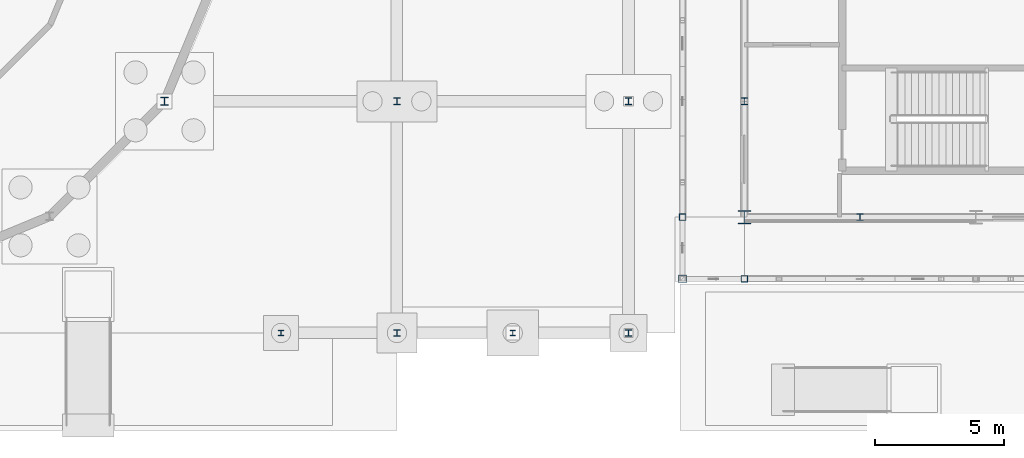
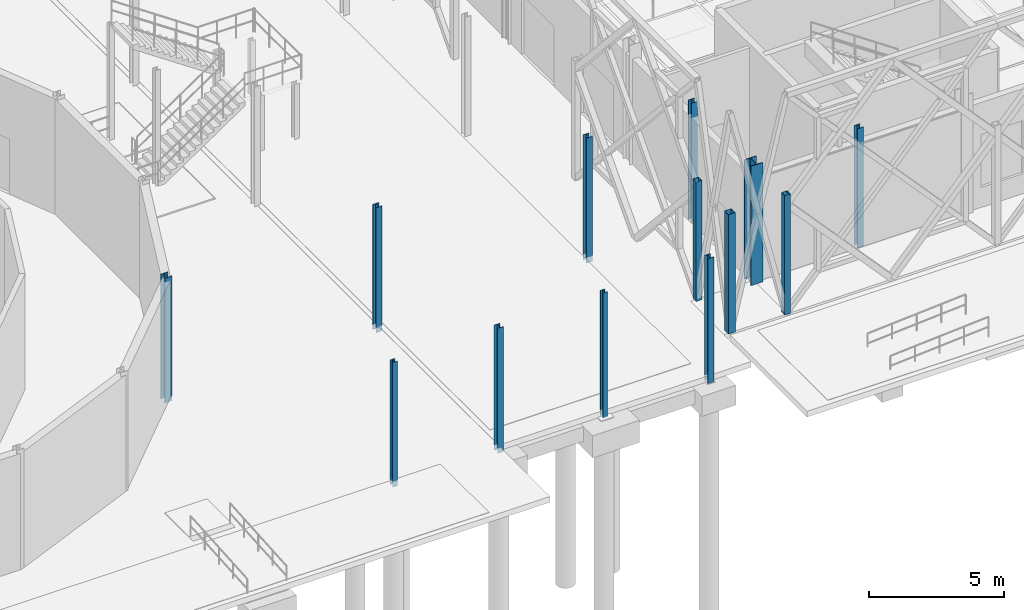
# One storey, part 5 of 180: 13 columns.
"""IFC4 building model written with IfcOpenShell, lengths in metres."""

from ifc_helpers import new_model, si_unit, direction, frame, origin, origin_2d, place, context, subcontext, project, spatial, hollow_rectangle, i_section, extrude, material, material_profile, profile_set, type_object, element, save


model = new_model("IFC4")

# Units and contexts
model_context = context("Model", 3, precision=1e-05, world=origin(), true_north=direction((0.0, 1.0)))
body_context = subcontext(model_context, "Body", "Model", "MODEL_VIEW")
ifc_project = project(units=[si_unit("LENGTHUNIT", "METRE"), si_unit("AREAUNIT", "SQUARE_METRE"), si_unit("VOLUMEUNIT", "CUBIC_METRE"), si_unit("PLANEANGLEUNIT", "RADIAN"), si_unit("MASSUNIT", "GRAM", prefix="KILO"), si_unit("THERMODYNAMICTEMPERATUREUNIT", "KELVIN"), si_unit("POWERUNIT", "WATT")], contexts=[model_context])

# Site, building, storey
site_placement = place(None, origin())
site = spatial("IfcSite", under=ifc_project, at=site_placement, CompositionType="ELEMENT")
building_placement = place(site_placement, origin())
building = spatial("IfcBuilding", under=site, at=building_placement, Name="Tallowbark Science Centre", CompositionType="ELEMENT")
storey_placement = place(building_placement, origin())
storey = spatial("IfcBuildingStorey", under=building, at=storey_placement, Name="L00", CompositionType="ELEMENT", Elevation=0.0)

# Columns
ifc_material_1 = material(Name="White Architectural Painted Steel Grade C350L0 (350 MPa)", Category="steel")
ifc_material_profile_1 = material_profile(ifc_material_1, hollow_rectangle(XDim=0.25, YDim=0.25, WallThickness=0.009033203125, at=origin_2d()), Name="250x250x9.0SHS")
ifc_profile_set_1 = profile_set([ifc_material_profile_1], Name="White Architectural Painted Steel Grade C350L0 (350 MPa)")
column_type_1 = type_object("IfcColumnType", Name="COL-SCR200", PredefinedType="COLUMN", material=ifc_profile_set_1)
for number, where, z_axis, x_axis, name in (
    (1, (58.5, 2.10009765625, 0.0), (0.0, 0.0, 1.0), (1.0, 0.0, 0.0), "Column SCR-S01 L00"),
    (2, (56.10009765625, 4.5, 0.0), (0.0, 0.0, 1.0), (1.0, 0.0, 0.0), "Column SCR-W01 L00"),
):
    element("IfcColumn", number, at=place(storey_placement, frame(where, z_axis=z_axis, x_axis=x_axis)), inside=storey, type_object=column_type_1, Name=name, PredefinedType="COLUMN", context=body_context, shape_type="SweptSolid", body=[
        extrude(hollow_rectangle(XDim=0.25, YDim=0.25, WallThickness=0.009033203125, at=origin_2d()), origin(), (0.0, 0.0, 1.0), 5.39990234375),
    ])
ifc_material_profile_2 = material_profile(ifc_material_1, hollow_rectangle(XDim=0.300048828125, YDim=0.300048828125, WallThickness=0.010009765625, at=origin_2d()), Name="300x300x10.0SHS")
ifc_profile_set_2 = profile_set([ifc_material_profile_2], Name="White Architectural Painted Steel Grade C350L0 (350 MPa)")
column_type_2 = type_object("IfcColumnType", Name="COL-SCR300", PredefinedType="COLUMN", material=ifc_profile_set_2)
column_1_placement = place(storey_placement, frame((56.10009765625, 2.10009765625, 0.0), z_axis=(0.0, 0.0, 1.0), x_axis=(1.0, 0.0, 0.0)))
element("IfcColumn", 3, at=column_1_placement, inside=storey, type_object=column_type_2, Name="Column SCR-S00 L00", PredefinedType="COLUMN", context=body_context, shape_type="SweptSolid", body=[
    extrude(hollow_rectangle(XDim=0.300048828125, YDim=0.300048828125, WallThickness=0.010009765625, at=origin_2d()), origin(), (0.0, 0.0, 1.0), 5.39990234375),
])
ifc_material_2 = material(Name="Structural Steel Grade 300PLUS (300 MPa)", Category="steel")
ifc_material_profile_3 = material_profile(ifc_material_2, i_section(OverallWidth=0.205078125, OverallDepth=0.209716796875, WebThickness=0.00927734375, FlangeThickness=0.01416015625, FilletRadius=0.011474609375, at=origin_2d()), Name="200UC59.5")
ifc_profile_set_3 = profile_set([ifc_material_profile_3], Name="Structural Steel Grade 300PLUS (300 MPa)")
column_type_3 = type_object("IfcColumnType", Name="COL-UC200", PredefinedType="COLUMN", material=ifc_profile_set_3)
column_2_placement = place(storey_placement, frame((40.5, 0.0, -0.239990234375), z_axis=(0.0, 0.0, 1.0), x_axis=(1.0, 0.0, 0.0)))
element("IfcColumn", 4, at=column_2_placement, inside=storey, type_object=column_type_3, Name="Column CAN-S1 L00", PredefinedType="COLUMN", context=body_context, shape_type="SweptSolid", body=[
    extrude(i_section(OverallWidth=0.205078125, OverallDepth=0.209716796875, WebThickness=0.00927734375, FlangeThickness=0.01416015625, FilletRadius=0.011474609375, at=origin_2d()), origin(), (0.0, 0.0, 1.0), 5.639892578125),
])
column_3_placement = place(storey_placement, frame((49.5, 0.0, -0.260009765625), z_axis=(0.0, 0.0, 1.0), x_axis=(1.0, 0.0, 0.0)))
element("IfcColumn", 5, at=column_3_placement, inside=storey, type_object=column_type_3, Name="Column CAN-S2 L00", PredefinedType="COLUMN", context=body_context, shape_type="SweptSolid", body=[
    extrude(i_section(OverallWidth=0.205078125, OverallDepth=0.209716796875, WebThickness=0.00927734375, FlangeThickness=0.01416015625, FilletRadius=0.011474609375, at=origin_2d()), origin(), (0.0, 0.0, 1.0), 5.659912109375),
])
ifc_material_profile_4 = material_profile(ifc_material_2, i_section(OverallWidth=0.256103515625, OverallDepth=0.260009765625, WebThickness=0.010498046875, FlangeThickness=0.017333984375, FilletRadius=0.013916015625, at=origin_2d()), Name="250UC89.5")
ifc_profile_set_4 = profile_set([ifc_material_profile_4], Name="Structural Steel Grade 300PLUS (300 MPa)")
column_type_4 = type_object("IfcColumnType", Name="COL-UC250A", PredefinedType="COLUMN", material=ifc_profile_set_4)
for number, where, z_axis, x_axis, name in (
    (6, (45.0, 0.0, -0.260009765625), (0.0, 0.0, 1.0), (1.0, 0.0, 0.0), "Column PAS-W00 L00"),
    (7, (54.0, 0.0, -0.260009765625), (0.0, 0.0, 1.0), (1.0, 0.0, 0.0), "Column PAS-E00 L00"),
    (8, (45.0, 9.0, -0.260009765625), (0.0, 0.0, 1.0), (1.0, 0.0, 0.0), "Column PAS-W01 L00"),
    (9, (54.0, 9.0, -0.260009765625), (0.0, 0.0, 1.0), (1.0, 0.0, 0.0), "Column PAS-E01 L00"),
):
    element("IfcColumn", number, at=place(storey_placement, frame(where, z_axis=z_axis, x_axis=x_axis)), inside=storey, type_object=column_type_4, Name=name, PredefinedType="COLUMN", context=body_context, shape_type="SweptSolid", body=[
        extrude(i_section(OverallWidth=0.256103515625, OverallDepth=0.260009765625, WebThickness=0.010498046875, FlangeThickness=0.017333984375, FilletRadius=0.013916015625, at=origin_2d()), origin(), (0.0, 0.0, 1.0), 5.659912109375),
    ])
ifc_material_profile_5 = material_profile(ifc_material_2, i_section(OverallWidth=0.5, OverallDepth=0.513916015625, WebThickness=0.02197265625, FlangeThickness=0.031982421875, FilletRadius=0.01611328125, at=origin_2d()), Name="500WC340")
ifc_profile_set_5 = profile_set([ifc_material_profile_5], Name="Structural Steel Grade 300PLUS (300 MPa)")
column_type_5 = type_object("IfcColumnType", Name="COL-WC500", PredefinedType="COLUMN", material=ifc_profile_set_5)
column_4_placement = place(storey_placement, frame((58.5, 4.5, 0.0), z_axis=(0.0, 0.0, 1.0), x_axis=(1.0, 0.0, 0.0)))
element("IfcColumn", 10, at=column_4_placement, inside=storey, type_object=column_type_5, Name="Column CUB-M0_0 L00", PredefinedType="COLUMN", context=body_context, shape_type="SweptSolid", body=[
    extrude(i_section(OverallWidth=0.5, OverallDepth=0.513916015625, WebThickness=0.02197265625, FlangeThickness=0.031982421875, FilletRadius=0.01611328125, at=origin_2d()), origin(), (0.0, 0.0, 1.0), 5.39990234375),
])
ifc_material_profile_6 = material_profile(ifc_material_2, i_section(OverallWidth=0.256103515625, OverallDepth=0.260009765625, WebThickness=0.010498046875, FlangeThickness=0.017333984375, FilletRadius=0.013916015625, at=origin_2d()), Name="250UC89.5")
ifc_profile_set_6 = profile_set([ifc_material_profile_6], Name="Structural Steel Grade 300PLUS (300 MPa)")
column_type_6 = type_object("IfcColumnType", Name="PIL-UC250", PredefinedType="PILASTER", material=ifc_profile_set_6)
for number, where, z_axis, x_axis, name in (
    (11, (63.0, 4.5, 0.0), (0.0, 0.0, 1.0), (1.0, 0.0, 0.0), "Column CUB-PS-0 L00"),
    (12, (58.5, 9.0, 0.0), (0.0, 0.0, 1.0), (1.0, 0.0, 0.0), "Column CUB-PW-0 L00"),
):
    element("IfcColumn", number, at=place(storey_placement, frame(where, z_axis=z_axis, x_axis=x_axis)), inside=storey, type_object=column_type_6, Name=name, PredefinedType="PILASTER", context=body_context, shape_type="SweptSolid", body=[
        extrude(i_section(OverallWidth=0.256103515625, OverallDepth=0.260009765625, WebThickness=0.010498046875, FlangeThickness=0.017333984375, FilletRadius=0.013916015625, at=origin_2d()), origin(), (0.0, 0.0, 1.0), 5.39990234375),
    ])
ifc_material_profile_7 = material_profile(ifc_material_2, i_section(OverallWidth=0.307373046875, OverallDepth=0.314697265625, WebThickness=0.011962890625, FlangeThickness=0.018798828125, FilletRadius=0.0166015625, at=origin_2d()), Name="310UC118")
ifc_profile_set_7 = profile_set([ifc_material_profile_7], Name="Structural Steel Grade 300PLUS (300 MPa)")
column_type_7 = type_object("IfcColumnType", Name="PIL-UC310", PredefinedType="PILASTER", material=ifc_profile_set_7)
column_5_placement = place(storey_placement, frame((35.9697265625, 8.999755859375, -0.239990234375), z_axis=(0.0, 0.0, 1.0), x_axis=(1.0, 0.0, 0.0)))
element("IfcColumn", 13, at=column_5_placement, inside=storey, type_object=column_type_7, Name="Column DRM-P15 L00", PredefinedType="PILASTER", context=body_context, shape_type="SweptSolid", body=[
    extrude(i_section(OverallWidth=0.307373046875, OverallDepth=0.314697265625, WebThickness=0.011962890625, FlangeThickness=0.018798828125, FilletRadius=0.0166015625, at=origin_2d()), origin(), (0.0, 0.0, 1.0), 5.639892578125),
])

save(model, "model.ifc")
